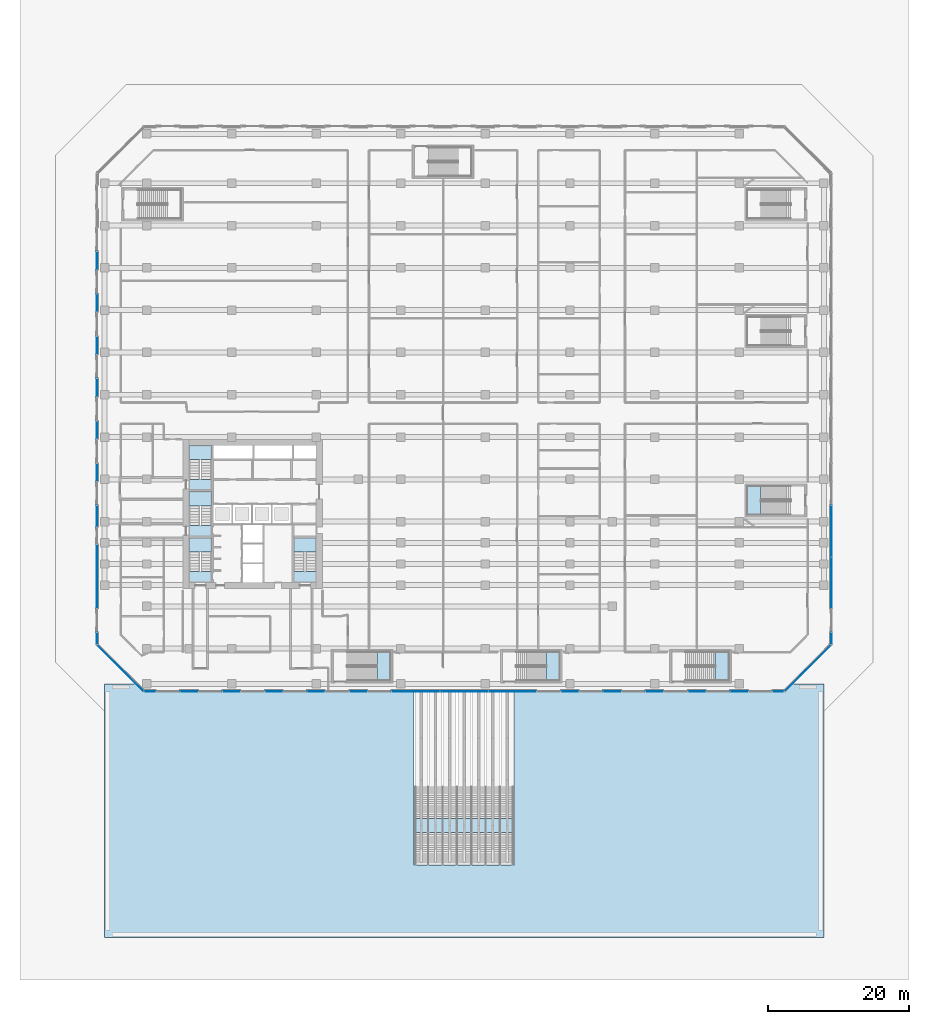
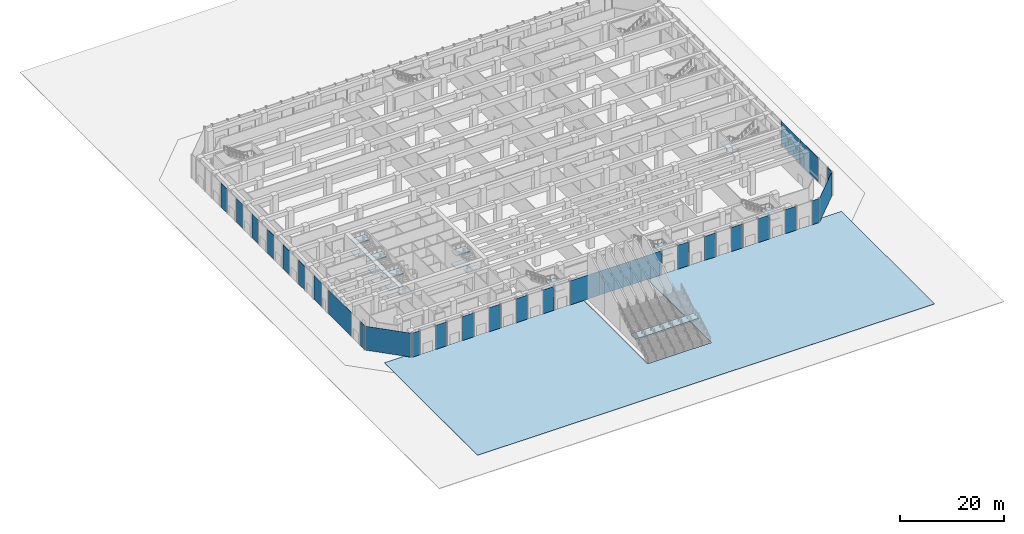
# One storey, part 13 of 32: 29 plates, 18 slabs, 35 elements without a shape of their own.
"""IFC4 building model written with IfcOpenShell, lengths in metres."""

import ifcopenshell
import ifcopenshell.guid

model = None  # the IFC model being written
_history = None  # IfcOwnerHistory: only IFC2X3 demands one
_inside = {}  # id of a spatial element -> (the spatial element, [elements in it])
_under = {}  # id of a project, library or spatial element -> (it, [spatial elements below it])
_declared = {}  # id of a project -> (the project, [libraries it declares])
_typed = {}  # id of a type object -> (the type object, [elements of that type])
_made_of = {}  # id of a material, layer set ... -> (it, [elements and type objects made of it])


def new_model(schema):
    """Start an empty IFC model of exactly this schema.

    Asked for "IFC4X3", IfcOpenShell would pick the latest addendum, in which some entities
    have other attributes; the version numbers below select the first issue.
    IFC2X3 requires an IfcOwnerHistory on every rooted entity: one is made here for all.
    """
    global model, _history
    if schema == "IFC4X3":
        model = ifcopenshell.file(schema_version=(4, 3, 0, 0))
    else:
        model = ifcopenshell.file(schema=schema)
    _inside.clear()
    _under.clear()
    _declared.clear()
    _typed.clear()
    _made_of.clear()
    _history = None
    if model.schema == "IFC2X3":
        org = make("IfcOrganization", Name="unknown")
        user = make(
            "IfcPersonAndOrganization",
            ThePerson=make("IfcPerson", FamilyName="unknown"),
            TheOrganization=org,
        )
        app = make(
            "IfcApplication",
            ApplicationDeveloper=org,
            Version="unknown",
            ApplicationFullName="unknown",
            ApplicationIdentifier="unknown",
        )
        _history = make(
            "IfcOwnerHistory",
            OwningUser=user,
            OwningApplication=app,
            ChangeAction="ADDED",
            CreationDate=0,
        )
    return model


def make(cls, **values):
    """One entity of the class cls with the attributes given. An attribute that is None is left unset."""
    return model.create_entity(
        cls, **{name: value for name, value in values.items() if value is not None}
    )


def rooted(cls, **values):
    """An entity with a GlobalId (a new one), such as an element, a storey or a relation."""
    return make(cls, GlobalId=ifcopenshell.guid.new(), OwnerHistory=_history, **values)


def si_unit(unit_type, name, prefix=None):
    """IfcSIUnit, for example si_unit("LENGTHUNIT", "METRE", prefix="MILLI")."""
    return make("IfcSIUnit", UnitType=unit_type, Prefix=prefix, Name=name)


def assignment(units):
    """IfcUnitAssignment: the units of a project."""
    return None if units is None else make("IfcUnitAssignment", Units=units)


def point(xyz):
    """IfcCartesianPoint."""
    return None if xyz is None else make("IfcCartesianPoint", Coordinates=xyz)


def direction(xyz):
    """IfcDirection."""
    return None if xyz is None else make("IfcDirection", DirectionRatios=xyz)


def frame(location, z_axis=None, x_axis=None):
    """IfcAxis2Placement3D, a coordinate frame: its origin and axes. An axis left out is left unset."""
    return make(
        "IfcAxis2Placement3D",
        Location=point(location),
        Axis=direction(z_axis),
        RefDirection=direction(x_axis),
    )


def frame_2d(location, x_axis=None):
    """IfcAxis2Placement2D, a coordinate frame in the plane: its origin and x axis."""
    return make(
        "IfcAxis2Placement2D", Location=point(location), RefDirection=direction(x_axis)
    )


def origin():
    """The frame at (0, 0, 0) with its axes left unset."""
    return frame((0.0, 0.0, 0.0))


def origin_2d():
    """The frame at (0, 0) in the plane with its x axis left unset."""
    return frame_2d((0.0, 0.0))


def place(relative_to, where):
    """IfcLocalPlacement: puts the frame where relative to a parent placement (None: the world)."""
    return make(
        "IfcLocalPlacement", PlacementRelTo=relative_to, RelativePlacement=where
    )


def context(
    kind, dimensions, precision=None, world=None, true_north=None, identifier=None
):
    """IfcGeometricRepresentationContext, for example the 3D "Model" context."""
    return make(
        "IfcGeometricRepresentationContext",
        ContextIdentifier=identifier,
        ContextType=kind,
        CoordinateSpaceDimension=dimensions,
        Precision=precision,
        WorldCoordinateSystem=world,
        TrueNorth=true_north,
    )


def subcontext(parent, identifier, kind, view, scale=None):
    """IfcGeometricRepresentationSubContext, for example "Body" below "Model"."""
    return make(
        "IfcGeometricRepresentationSubContext",
        ContextIdentifier=identifier,
        ContextType=kind,
        ParentContext=parent,
        TargetScale=scale,
        TargetView=view,
    )


def project(units=None, contexts=None):
    """IfcProject with its units and contexts."""
    return rooted(
        "IfcProject",
        Name="project",
        RepresentationContexts=contexts,
        UnitsInContext=assignment(units),
    )


def spatial(cls, under=None, at=None, **own):
    """A site, building, storey or space (cls), placed at a placement, below another one or the project."""
    s = rooted(cls, ObjectPlacement=at, **own)
    if under is not None:
        _under.setdefault(under.id(), (under, []))[1].append(s)
    return s


def polyline(points):
    """IfcPolyline through the points."""
    return make("IfcPolyline", Points=[point(p) for p in points])


def profile(cls, at=None, kind="AREA", **sizes):
    """A parametric profile (cls). Its sizes go by their IFC names, for example OverallWidth=200.0."""
    return make(cls, ProfileType=kind, Position=at, **sizes)


def rectangle(**sizes):
    """IfcRectangleProfileDef."""
    return profile("IfcRectangleProfileDef", **sizes)


def outline(outer, holes=None, kind="AREA"):
    """IfcArbitraryClosedProfileDef: a profile drawn as a closed curve; with holes, ...WithVoids."""
    if holes is None:
        return make("IfcArbitraryClosedProfileDef", ProfileType=kind, OuterCurve=outer)
    return make(
        "IfcArbitraryProfileDefWithVoids",
        ProfileType=kind,
        OuterCurve=outer,
        InnerCurves=holes,
    )


def extrude(swept, where, along, depth):
    """IfcExtrudedAreaSolid: the profile swept, set in the frame where, extruded along a direction by depth."""
    return make(
        "IfcExtrudedAreaSolid",
        SweptArea=swept,
        Position=where,
        ExtrudedDirection=direction(along),
        Depth=depth,
    )


def shape(context_of_items, identifier, shape_type, items):
    """IfcShapeRepresentation: the items that make up one representation, for example the "Body"."""
    return make(
        "IfcShapeRepresentation",
        ContextOfItems=context_of_items,
        RepresentationIdentifier=identifier,
        RepresentationType=shape_type,
        Items=items,
    )


def material(Name=None, Category=None):
    """IfcMaterial."""
    return make("IfcMaterial", Name=Name, Category=Category)


def layer(
    of_material, thickness, ventilated=None, Name=None, Category=None, Priority=None
):
    """IfcMaterialLayer: one layer of a wall or slab, of a material (None: an air gap)."""
    return make(
        "IfcMaterialLayer",
        Material=of_material,
        LayerThickness=thickness,
        IsVentilated=ventilated,
        Name=Name,
        Category=Category,
        Priority=Priority,
    )


def layer_set(layers, Name=None):
    """IfcMaterialLayerSet."""
    return make("IfcMaterialLayerSet", MaterialLayers=layers, LayerSetName=Name)


def made_of(thing, what):
    """Note that an element or type object is made of a material, layer set ...; save() writes the relation."""
    if what is not None:
        _made_of.setdefault(what.id(), (what, []))[1].append(thing)
    return thing


def type_object(cls, material=None, **own):
    """A type object (cls), such as IfcWallType, which elements share."""
    return made_of(rooted(cls, **own), material)


def element(
    cls,
    number,
    at=None,
    inside=None,
    cuts=None,
    type_object=None,
    material=None,
    context=None,
    identifier="Body",
    shape_type=None,
    held_by="IfcProductDefinitionShape",
    body=None,
    shapes=None,
    **own,
):
    """One element of the class cls, such as IfcWall. Its Tag is "e" and its number.

    at: its placement. inside: the storey or other place that contains it. cuts: it is an
    opening in that element (IfcRelVoidsElement). A single representation is given by context,
    identifier, shape_type and body (its items); several are given by shapes. held_by: the class
    of the entity that holds the representations. save() writes the other relations.
    """
    e = rooted(cls, Tag="e%d" % number, ObjectPlacement=at, **own)
    if body is not None:
        shapes = [shape(context, identifier, shape_type, body)]
    if shapes is not None:
        e.Representation = make(held_by, Representations=shapes)
    if inside is not None:
        _inside.setdefault(inside.id(), (inside, []))[1].append(e)
    if cuts is not None:
        rooted(
            "IfcRelVoidsElement", RelatingBuildingElement=cuts, RelatedOpeningElement=e
        )
    if type_object is not None:
        _typed.setdefault(type_object.id(), (type_object, []))[1].append(e)
    return made_of(e, material)


def aggregate(whole, parts):
    """IfcRelAggregates: a whole, such as a stair, and the parts it consists of."""
    return rooted("IfcRelAggregates", RelatingObject=whole, RelatedObjects=parts)


def save(model, path):
    """Write the relations noted so far, then the file.

    IfcRelAggregates (storeys below a building ...), IfcRelContainedInSpatialStructure (elements
    in a storey), IfcRelDefinesByType, IfcRelAssociatesMaterial and IfcRelDeclares: one each for
    every whole, place, type object, material and project.
    """
    for whole, parts in _under.values():
        aggregate(whole, parts)
    for where, things in _inside.values():
        rooted(
            "IfcRelContainedInSpatialStructure",
            RelatedElements=things,
            RelatingStructure=where,
        )
    for kind, things in _typed.values():
        rooted("IfcRelDefinesByType", RelatedObjects=things, RelatingType=kind)
    for what, things in _made_of.values():
        rooted("IfcRelAssociatesMaterial", RelatedObjects=things, RelatingMaterial=what)
    for by, libraries in _declared.values():
        rooted("IfcRelDeclares", RelatingContext=by, RelatedDefinitions=libraries)
    model.write(path)


model = new_model("IFC4")

# Units and contexts
model_context = context("Model", 3, precision=1e-05, world=origin(), true_north=direction((0.0, 1.0)))
body_context = subcontext(model_context, "Body", "Model", "MODEL_VIEW")
ifc_project = project(units=[si_unit("LENGTHUNIT", "METRE"), si_unit("AREAUNIT", "SQUARE_METRE"), si_unit("VOLUMEUNIT", "CUBIC_METRE"), si_unit("PLANEANGLEUNIT", "RADIAN"), si_unit("MASSUNIT", "GRAM", prefix="KILO")], contexts=[model_context])

# Site, building, storey
site_placement = place(None, origin())
site = spatial("IfcSite", under=ifc_project, at=site_placement, CompositionType="ELEMENT")
building_placement = place(site_placement, origin())
building = spatial("IfcBuilding", under=site, at=building_placement, Name="Welwitschia Terrace Campus", CompositionType="ELEMENT")
storey_placement = place(building_placement, origin())
storey = spatial("IfcBuildingStorey", under=building, at=storey_placement, Name="L00", CompositionType="ELEMENT", Elevation=0.0)

# Curtain wall, plate
ifc_material_1 = material(Name="Bronze anodised aluminium", Category="aluminium")
ifc_layer_1 = layer(ifc_material_1, 0.199951171875)
ifc_layer_set_1 = layer_set([ifc_layer_1], Name="Bronze anodised aluminium")
curtain_wall_type = type_object("IfcCurtainWallType", Name="Curtain wall CW4 arcade shopfront 7500", PredefinedType="NOTDEFINED", material=ifc_layer_set_1)
curtain_wall_1_placement = place(storey_placement, origin())
curtain_wall_1 = element("IfcCurtainWall", 1, at=curtain_wall_1_placement, inside=storey, type_object=curtain_wall_type, Name="CW L00.0.g0", PredefinedType="NOTDEFINED")
ifc_material_2 = material(Name="Tinted bronze-grey glass", Category="glass")
ifc_layer_2 = layer(ifc_material_2, 0.0439453125)
ifc_layer_set_2 = layer_set([ifc_layer_2], Name="Tinted bronze-grey glass")
plate_type = type_object("IfcPlateType", Name="Glass panel 44 laminated", PredefinedType="CURTAIN_PANEL", material=ifc_layer_set_2)
plate_1_placement = place(storey_placement, frame((0.4501953125, -10.0849609375, 0.0), z_axis=(0.0, 0.0, 1.0), x_axis=(1.0, 0.0, 0.0)))
plate_1 = element("IfcPlate", 2, at=plate_1_placement, type_object=plate_type, Name="Panel L00.0.g0.0", PredefinedType="CURTAIN_PANEL", context=body_context, shape_type="SweptSolid", body=[
    extrude(rectangle(XDim=1.599365234375, YDim=0.0439453125, at=origin_2d()), origin(), (0.0, 0.0, 1.0), 5.64990234375),
])
aggregate(curtain_wall_1, [plate_1])

curtain_wall_2_placement = place(storey_placement, origin())
curtain_wall_2 = element("IfcCurtainWall", 3, at=curtain_wall_2_placement, inside=storey, type_object=curtain_wall_type, Name="CW L00.0.g1", PredefinedType="NOTDEFINED")
plate_2_placement = place(storey_placement, frame((6.0, -10.0849609375, 0.0), z_axis=(0.0, 0.0, 1.0), x_axis=(1.0, 0.0, 0.0)))
plate_2 = element("IfcPlate", 4, at=plate_2_placement, type_object=plate_type, Name="Panel L00.0.g1.0", PredefinedType="CURTAIN_PANEL", context=body_context, shape_type="SweptSolid", body=[
    extrude(rectangle(XDim=2.5, YDim=0.0439453125, at=origin_2d()), origin(), (0.0, 0.0, 1.0), 5.64990234375),
])
aggregate(curtain_wall_2, [plate_2])

curtain_wall_3_placement = place(storey_placement, origin())
curtain_wall_3 = element("IfcCurtainWall", 5, at=curtain_wall_3_placement, inside=storey, type_object=curtain_wall_type, Name="CW L00.0.g2", PredefinedType="NOTDEFINED")
plate_3_placement = place(storey_placement, frame((12.0, -10.0849609375, 0.0), z_axis=(0.0, 0.0, 1.0), x_axis=(1.0, 0.0, 0.0)))
plate_3 = element("IfcPlate", 6, at=plate_3_placement, type_object=plate_type, Name="Panel L00.0.g2.0", PredefinedType="CURTAIN_PANEL", context=body_context, shape_type="SweptSolid", body=[
    extrude(rectangle(XDim=2.5, YDim=0.0439453125, at=origin_2d()), origin(), (0.0, 0.0, 1.0), 5.64990234375),
])
aggregate(curtain_wall_3, [plate_3])

curtain_wall_4_placement = place(storey_placement, origin())
curtain_wall_4 = element("IfcCurtainWall", 7, at=curtain_wall_4_placement, inside=storey, type_object=curtain_wall_type, Name="CW L00.0.g3", PredefinedType="NOTDEFINED")
plate_4_placement = place(storey_placement, frame((18.0, -10.0849609375, 0.0), z_axis=(0.0, 0.0, 1.0), x_axis=(1.0, 0.0, 0.0)))
plate_4 = element("IfcPlate", 8, at=plate_4_placement, type_object=plate_type, Name="Panel L00.0.g3.0", PredefinedType="CURTAIN_PANEL", context=body_context, shape_type="SweptSolid", body=[
    extrude(rectangle(XDim=2.5, YDim=0.0439453125, at=origin_2d()), origin(), (0.0, 0.0, 1.0), 5.64990234375),
])
aggregate(curtain_wall_4, [plate_4])

curtain_wall_5_placement = place(storey_placement, origin())
curtain_wall_5 = element("IfcCurtainWall", 9, at=curtain_wall_5_placement, inside=storey, type_object=curtain_wall_type, Name="CW L00.0.g4", PredefinedType="NOTDEFINED")
plate_5_placement = place(storey_placement, frame((24.0, -10.0849609375, 0.0), z_axis=(0.0, 0.0, 1.0), x_axis=(1.0, 0.0, 0.0)))
plate_5 = element("IfcPlate", 10, at=plate_5_placement, type_object=plate_type, Name="Panel L00.0.g4.0", PredefinedType="CURTAIN_PANEL", context=body_context, shape_type="SweptSolid", body=[
    extrude(rectangle(XDim=2.5, YDim=0.0439453125, at=origin_2d()), origin(), (0.0, 0.0, 1.0), 5.64990234375),
])
aggregate(curtain_wall_5, [plate_5])

curtain_wall_6_placement = place(storey_placement, origin())
curtain_wall_6 = element("IfcCurtainWall", 11, at=curtain_wall_6_placement, inside=storey, type_object=curtain_wall_type, Name="CW L00.0.g5", PredefinedType="NOTDEFINED")
plate_6_placement = place(storey_placement, frame((30.0, -10.0849609375, 0.0), z_axis=(0.0, 0.0, 1.0), x_axis=(1.0, 0.0, 0.0)))
plate_6 = element("IfcPlate", 12, at=plate_6_placement, type_object=plate_type, Name="Panel L00.0.g5.0", PredefinedType="CURTAIN_PANEL", context=body_context, shape_type="SweptSolid", body=[
    extrude(rectangle(XDim=2.5, YDim=0.0439453125, at=origin_2d()), origin(), (0.0, 0.0, 1.0), 5.64990234375),
])
aggregate(curtain_wall_6, [plate_6])

# Curtain wall, plates
curtain_wall_7_placement = place(storey_placement, origin())
curtain_wall_7 = element("IfcCurtainWall", 13, at=curtain_wall_7_placement, inside=storey, type_object=curtain_wall_type, Name="CW L00.0.g6", PredefinedType="NOTDEFINED")
plate_7_placement = place(storey_placement, frame((38.125, -10.0849609375, 0.0), z_axis=(0.0, 0.0, 1.0), x_axis=(1.0, 0.0, 0.0)))
plate_7 = element("IfcPlate", 14, at=plate_7_placement, type_object=plate_type, Name="Panel L00.0.g6.0", PredefinedType="CURTAIN_PANEL", context=body_context, shape_type="SweptSolid", body=[
    extrude(rectangle(XDim=6.75, YDim=0.0439453125, at=origin_2d()), origin(), (0.0, 0.0, 1.0), 5.64990234375),
])
plate_8_placement = place(storey_placement, frame((45.0, -10.0849609375, 0.0), z_axis=(0.0, 0.0, 1.0), x_axis=(1.0, 0.0, 0.0)))
plate_8 = element("IfcPlate", 15, at=plate_8_placement, type_object=plate_type, Name="Panel L00.0.g6.1", PredefinedType="CURTAIN_PANEL", context=body_context, shape_type="SweptSolid", body=[
    extrude(rectangle(XDim=6.800048828125, YDim=0.0439453125, at=origin_2d()), origin(), (0.0, 0.0, 1.0), 5.64990234375),
])
plate_9_placement = place(storey_placement, frame((51.875, -10.0849609375, 0.0), z_axis=(0.0, 0.0, 1.0), x_axis=(1.0, 0.0, 0.0)))
plate_9 = element("IfcPlate", 16, at=plate_9_placement, type_object=plate_type, Name="Panel L00.0.g6.2", PredefinedType="CURTAIN_PANEL", context=body_context, shape_type="SweptSolid", body=[
    extrude(rectangle(XDim=6.75, YDim=0.0439453125, at=origin_2d()), origin(), (0.0, 0.0, 1.0), 5.64990234375),
])
aggregate(curtain_wall_7, [plate_7, plate_8, plate_9])

# Curtain wall, plate
curtain_wall_8_placement = place(storey_placement, origin())
curtain_wall_8 = element("IfcCurtainWall", 17, at=curtain_wall_8_placement, inside=storey, type_object=curtain_wall_type, Name="CW L00.0.g7", PredefinedType="NOTDEFINED")
plate_10_placement = place(storey_placement, frame((60.0, -10.0849609375, 0.0), z_axis=(0.0, 0.0, 1.0), x_axis=(1.0, 0.0, 0.0)))
plate_10 = element("IfcPlate", 18, at=plate_10_placement, type_object=plate_type, Name="Panel L00.0.g7.0", PredefinedType="CURTAIN_PANEL", context=body_context, shape_type="SweptSolid", body=[
    extrude(rectangle(XDim=2.5, YDim=0.0439453125, at=origin_2d()), origin(), (0.0, 0.0, 1.0), 5.64990234375),
])
aggregate(curtain_wall_8, [plate_10])

curtain_wall_9_placement = place(storey_placement, origin())
curtain_wall_9 = element("IfcCurtainWall", 19, at=curtain_wall_9_placement, inside=storey, type_object=curtain_wall_type, Name="CW L00.0.g8", PredefinedType="NOTDEFINED")
plate_11_placement = place(storey_placement, frame((66.0, -10.0849609375, 0.0), z_axis=(0.0, 0.0, 1.0), x_axis=(1.0, 0.0, 0.0)))
plate_11 = element("IfcPlate", 20, at=plate_11_placement, type_object=plate_type, Name="Panel L00.0.g8.0", PredefinedType="CURTAIN_PANEL", context=body_context, shape_type="SweptSolid", body=[
    extrude(rectangle(XDim=2.5, YDim=0.0439453125, at=origin_2d()), origin(), (0.0, 0.0, 1.0), 5.64990234375),
])
aggregate(curtain_wall_9, [plate_11])

curtain_wall_10_placement = place(storey_placement, origin())
curtain_wall_10 = element("IfcCurtainWall", 21, at=curtain_wall_10_placement, inside=storey, type_object=curtain_wall_type, Name="CW L00.0.g9", PredefinedType="NOTDEFINED")
plate_12_placement = place(storey_placement, frame((72.0, -10.0849609375, 0.0), z_axis=(0.0, 0.0, 1.0), x_axis=(1.0, 0.0, 0.0)))
plate_12 = element("IfcPlate", 22, at=plate_12_placement, type_object=plate_type, Name="Panel L00.0.g9.0", PredefinedType="CURTAIN_PANEL", context=body_context, shape_type="SweptSolid", body=[
    extrude(rectangle(XDim=2.5, YDim=0.0439453125, at=origin_2d()), origin(), (0.0, 0.0, 1.0), 5.64990234375),
])
aggregate(curtain_wall_10, [plate_12])

curtain_wall_11_placement = place(storey_placement, origin())
curtain_wall_11 = element("IfcCurtainWall", 23, at=curtain_wall_11_placement, inside=storey, type_object=curtain_wall_type, Name="CW L00.0.g10", PredefinedType="NOTDEFINED")
plate_13_placement = place(storey_placement, frame((78.0, -10.0849609375, 0.0), z_axis=(0.0, 0.0, 1.0), x_axis=(1.0, 0.0, 0.0)))
plate_13 = element("IfcPlate", 24, at=plate_13_placement, type_object=plate_type, Name="Panel L00.0.g10.0", PredefinedType="CURTAIN_PANEL", context=body_context, shape_type="SweptSolid", body=[
    extrude(rectangle(XDim=2.5, YDim=0.0439453125, at=origin_2d()), origin(), (0.0, 0.0, 1.0), 5.64990234375),
])
aggregate(curtain_wall_11, [plate_13])

curtain_wall_12_placement = place(storey_placement, origin())
curtain_wall_12 = element("IfcCurtainWall", 25, at=curtain_wall_12_placement, inside=storey, type_object=curtain_wall_type, Name="CW L00.0.g11", PredefinedType="NOTDEFINED")
plate_14_placement = place(storey_placement, frame((84.0, -10.0849609375, 0.0), z_axis=(0.0, 0.0, 1.0), x_axis=(1.0, 0.0, 0.0)))
plate_14 = element("IfcPlate", 26, at=plate_14_placement, type_object=plate_type, Name="Panel L00.0.g11.0", PredefinedType="CURTAIN_PANEL", context=body_context, shape_type="SweptSolid", body=[
    extrude(rectangle(XDim=2.5, YDim=0.0439453125, at=origin_2d()), origin(), (0.0, 0.0, 1.0), 5.64990234375),
])
aggregate(curtain_wall_12, [plate_14])

curtain_wall_13_placement = place(storey_placement, origin())
curtain_wall_13 = element("IfcCurtainWall", 27, at=curtain_wall_13_placement, inside=storey, type_object=curtain_wall_type, Name="CW L00.0.g12", PredefinedType="NOTDEFINED")
plate_15_placement = place(storey_placement, frame((89.5498046875, -10.0849609375, 0.0), z_axis=(0.0, 0.0, 1.0), x_axis=(1.0, 0.0, 0.0)))
plate_15 = element("IfcPlate", 28, at=plate_15_placement, type_object=plate_type, Name="Panel L00.0.g12.0", PredefinedType="CURTAIN_PANEL", context=body_context, shape_type="SweptSolid", body=[
    extrude(rectangle(XDim=1.599365234375, YDim=0.0439453125, at=origin_2d()), origin(), (0.0, 0.0, 1.0), 5.64990234375),
])
aggregate(curtain_wall_13, [plate_15])

curtain_wall_14_placement = place(storey_placement, origin())
curtain_wall_14 = element("IfcCurtainWall", 29, at=curtain_wall_14_placement, inside=storey, type_object=curtain_wall_type, Name="CW L00.1.g0", PredefinedType="NOTDEFINED")
plate_16_placement = place(storey_placement, frame((93.76708984375, -6.76708984375, 0.0), z_axis=(0.0, 0.0, 1.0), x_axis=(0.707106781187, 0.707106781187, 0.0)))
plate_16 = element("IfcPlate", 30, at=plate_16_placement, type_object=plate_type, Name="Panel L00.1.g0.0", PredefinedType="CURTAIN_PANEL", context=body_context, shape_type="SweptSolid", body=[
    extrude(rectangle(XDim=9.18408203125, YDim=0.0439453125, at=origin_2d()), origin(), (0.0, 0.0, 1.0), 5.64990234375),
])
aggregate(curtain_wall_14, [plate_16])

curtain_wall_15_placement = place(storey_placement, origin())
curtain_wall_15 = element("IfcCurtainWall", 31, at=curtain_wall_15_placement, inside=storey, type_object=curtain_wall_type, Name="CW L00.2.g0", PredefinedType="NOTDEFINED")
plate_17_placement = place(storey_placement, frame((97.0849609375, -2.5498046875, 0.0), z_axis=(0.0, 0.0, 1.0), x_axis=(0.0, 1.0, 0.0)))
plate_17 = element("IfcPlate", 32, at=plate_17_placement, type_object=plate_type, Name="Panel L00.2.g0.0", PredefinedType="CURTAIN_PANEL", context=body_context, shape_type="SweptSolid", body=[
    extrude(rectangle(XDim=1.599365234375, YDim=0.0439453125, at=origin_2d()), origin(), (0.0, 0.0, 1.0), 5.64990234375),
])
aggregate(curtain_wall_15, [plate_17])

# Curtain wall, plates
curtain_wall_16_placement = place(storey_placement, origin())
curtain_wall_16 = element("IfcCurtainWall", 33, at=curtain_wall_16_placement, inside=storey, type_object=curtain_wall_type, Name="CW L00.2.g1", PredefinedType="NOTDEFINED")
plate_18_placement = place(storey_placement, frame((97.0849609375, 5.35009765625, 0.0), z_axis=(0.0, 0.0, 1.0), x_axis=(0.0, 1.0, 0.0)))
plate_18 = element("IfcPlate", 34, at=plate_18_placement, type_object=plate_type, Name="Panel L00.2.g1.0", PredefinedType="CURTAIN_PANEL", context=body_context, shape_type="SweptSolid", body=[
    extrude(rectangle(XDim=7.199951171875, YDim=0.0439453125, at=origin_2d()), origin(), (0.0, 0.0, 1.0), 5.64990234375),
])
plate_19_placement = place(storey_placement, frame((97.0849609375, 12.64990234375, 0.0), z_axis=(0.0, 0.0, 1.0), x_axis=(0.0, 1.0, 0.0)))
plate_19 = element("IfcPlate", 35, at=plate_19_placement, type_object=plate_type, Name="Panel L00.2.g1.1", PredefinedType="CURTAIN_PANEL", context=body_context, shape_type="SweptSolid", body=[
    extrude(rectangle(XDim=7.199951171875, YDim=0.0439453125, at=origin_2d()), origin(), (0.0, 0.0, 1.0), 5.64990234375),
])
aggregate(curtain_wall_16, [plate_18, plate_19])

# Curtain wall, plate
curtain_wall_17_placement = place(storey_placement, origin())
curtain_wall_17 = element("IfcCurtainWall", 36, at=curtain_wall_17_placement, inside=storey, type_object=curtain_wall_type, Name="CW L00.6.g2", PredefinedType="NOTDEFINED")
plate_20_placement = place(storey_placement, frame((-7.0849609375, 51.0, 0.0), z_axis=(0.0, 0.0, 1.0), x_axis=(0.0, -1.0, 0.0)))
plate_20 = element("IfcPlate", 37, at=plate_20_placement, type_object=plate_type, Name="Panel L00.6.g2.0", PredefinedType="CURTAIN_PANEL", context=body_context, shape_type="SweptSolid", body=[
    extrude(rectangle(XDim=2.5, YDim=0.0439453125, at=origin_2d()), origin(), (0.0, 0.0, 1.0), 5.64990234375),
])
aggregate(curtain_wall_17, [plate_20])

curtain_wall_18_placement = place(storey_placement, origin())
curtain_wall_18 = element("IfcCurtainWall", 38, at=curtain_wall_18_placement, inside=storey, type_object=curtain_wall_type, Name="CW L00.6.g3", PredefinedType="NOTDEFINED")
plate_21_placement = place(storey_placement, frame((-7.0849609375, 45.0, 0.0), z_axis=(0.0, 0.0, 1.0), x_axis=(0.0, -1.0, 0.0)))
plate_21 = element("IfcPlate", 39, at=plate_21_placement, type_object=plate_type, Name="Panel L00.6.g3.0", PredefinedType="CURTAIN_PANEL", context=body_context, shape_type="SweptSolid", body=[
    extrude(rectangle(XDim=2.5, YDim=0.0439453125, at=origin_2d()), origin(), (0.0, 0.0, 1.0), 5.64990234375),
])
aggregate(curtain_wall_18, [plate_21])

curtain_wall_19_placement = place(storey_placement, origin())
curtain_wall_19 = element("IfcCurtainWall", 40, at=curtain_wall_19_placement, inside=storey, type_object=curtain_wall_type, Name="CW L00.6.g4", PredefinedType="NOTDEFINED")
plate_22_placement = place(storey_placement, frame((-7.0849609375, 39.0, 0.0), z_axis=(0.0, 0.0, 1.0), x_axis=(0.0, -1.0, 0.0)))
plate_22 = element("IfcPlate", 41, at=plate_22_placement, type_object=plate_type, Name="Panel L00.6.g4.0", PredefinedType="CURTAIN_PANEL", context=body_context, shape_type="SweptSolid", body=[
    extrude(rectangle(XDim=2.5, YDim=0.0439453125, at=origin_2d()), origin(), (0.0, 0.0, 1.0), 5.64990234375),
])
aggregate(curtain_wall_19, [plate_22])

curtain_wall_20_placement = place(storey_placement, origin())
curtain_wall_20 = element("IfcCurtainWall", 42, at=curtain_wall_20_placement, inside=storey, type_object=curtain_wall_type, Name="CW L00.6.g5", PredefinedType="NOTDEFINED")
plate_23_placement = place(storey_placement, frame((-7.0849609375, 33.0, 0.0), z_axis=(0.0, 0.0, 1.0), x_axis=(0.0, -1.0, 0.0)))
plate_23 = element("IfcPlate", 43, at=plate_23_placement, type_object=plate_type, Name="Panel L00.6.g5.0", PredefinedType="CURTAIN_PANEL", context=body_context, shape_type="SweptSolid", body=[
    extrude(rectangle(XDim=2.5, YDim=0.0439453125, at=origin_2d()), origin(), (0.0, 0.0, 1.0), 5.64990234375),
])
aggregate(curtain_wall_20, [plate_23])

curtain_wall_21_placement = place(storey_placement, origin())
curtain_wall_21 = element("IfcCurtainWall", 44, at=curtain_wall_21_placement, inside=storey, type_object=curtain_wall_type, Name="CW L00.6.g6", PredefinedType="NOTDEFINED")
plate_24_placement = place(storey_placement, frame((-7.0849609375, 27.0, 0.0), z_axis=(0.0, 0.0, 1.0), x_axis=(0.0, -1.0, 0.0)))
plate_24 = element("IfcPlate", 45, at=plate_24_placement, type_object=plate_type, Name="Panel L00.6.g6.0", PredefinedType="CURTAIN_PANEL", context=body_context, shape_type="SweptSolid", body=[
    extrude(rectangle(XDim=2.5, YDim=0.0439453125, at=origin_2d()), origin(), (0.0, 0.0, 1.0), 5.64990234375),
])
aggregate(curtain_wall_21, [plate_24])

curtain_wall_22_placement = place(storey_placement, origin())
curtain_wall_22 = element("IfcCurtainWall", 46, at=curtain_wall_22_placement, inside=storey, type_object=curtain_wall_type, Name="CW L00.6.g7", PredefinedType="NOTDEFINED")
plate_25_placement = place(storey_placement, frame((-7.0849609375, 21.0, 0.0), z_axis=(0.0, 0.0, 1.0), x_axis=(0.0, -1.0, 0.0)))
plate_25 = element("IfcPlate", 47, at=plate_25_placement, type_object=plate_type, Name="Panel L00.6.g7.0", PredefinedType="CURTAIN_PANEL", context=body_context, shape_type="SweptSolid", body=[
    extrude(rectangle(XDim=2.5, YDim=0.0439453125, at=origin_2d()), origin(), (0.0, 0.0, 1.0), 5.64990234375),
])
aggregate(curtain_wall_22, [plate_25])

curtain_wall_23_placement = place(storey_placement, origin())
curtain_wall_23 = element("IfcCurtainWall", 48, at=curtain_wall_23_placement, inside=storey, type_object=curtain_wall_type, Name="CW L00.6.g8", PredefinedType="NOTDEFINED")
plate_26_placement = place(storey_placement, frame((-7.0849609375, 14.77490234375, 0.0), z_axis=(0.0, 0.0, 1.0), x_axis=(0.0, -1.0, 0.0)))
plate_26 = element("IfcPlate", 49, at=plate_26_placement, type_object=plate_type, Name="Panel L00.6.g8.0", PredefinedType="CURTAIN_PANEL", context=body_context, shape_type="SweptSolid", body=[
    extrude(rectangle(XDim=2.949951171875, YDim=0.0439453125, at=origin_2d()), origin(), (0.0, 0.0, 1.0), 5.64990234375),
])
aggregate(curtain_wall_23, [plate_26])

curtain_wall_24_placement = place(storey_placement, origin())
curtain_wall_24 = element("IfcCurtainWall", 50, at=curtain_wall_24_placement, inside=storey, type_object=curtain_wall_type, Name="CW L00.6.g9", PredefinedType="NOTDEFINED")
plate_27_placement = place(storey_placement, frame((-7.0849609375, 6.22509765625, 0.0), z_axis=(0.0, 0.0, 1.0), x_axis=(0.0, -1.0, 0.0)))
plate_27 = element("IfcPlate", 51, at=plate_27_placement, type_object=plate_type, Name="Panel L00.6.g9.0", PredefinedType="CURTAIN_PANEL", context=body_context, shape_type="SweptSolid", body=[
    extrude(rectangle(XDim=8.949951171875, YDim=0.0439453125, at=origin_2d()), origin(), (0.0, 0.0, 1.0), 5.64990234375),
])
aggregate(curtain_wall_24, [plate_27])

curtain_wall_25_placement = place(storey_placement, origin())
curtain_wall_25 = element("IfcCurtainWall", 52, at=curtain_wall_25_placement, inside=storey, type_object=curtain_wall_type, Name="CW L00.6.g10", PredefinedType="NOTDEFINED")
plate_28_placement = place(storey_placement, frame((-7.0849609375, -2.5498046875, 0.0), z_axis=(0.0, 0.0, 1.0), x_axis=(0.0, -1.0, 0.0)))
plate_28 = element("IfcPlate", 53, at=plate_28_placement, type_object=plate_type, Name="Panel L00.6.g10.0", PredefinedType="CURTAIN_PANEL", context=body_context, shape_type="SweptSolid", body=[
    extrude(rectangle(XDim=1.599365234375, YDim=0.0439453125, at=origin_2d()), origin(), (0.0, 0.0, 1.0), 5.64990234375),
])
aggregate(curtain_wall_25, [plate_28])

curtain_wall_26_placement = place(storey_placement, origin())
curtain_wall_26 = element("IfcCurtainWall", 54, at=curtain_wall_26_placement, inside=storey, type_object=curtain_wall_type, Name="CW L00.7.g0", PredefinedType="NOTDEFINED")
plate_29_placement = place(storey_placement, frame((-3.76708984375, -6.76708984375, 0.0), z_axis=(0.0, 0.0, 1.0), x_axis=(0.707106781187, -0.707106781187, 0.0)))
plate_29 = element("IfcPlate", 55, at=plate_29_placement, type_object=plate_type, Name="Panel L00.7.g0.0", PredefinedType="CURTAIN_PANEL", context=body_context, shape_type="SweptSolid", body=[
    extrude(rectangle(XDim=9.18408203125, YDim=0.0439453125, at=origin_2d()), origin(), (0.0, 0.0, 1.0), 5.64990234375),
])
aggregate(curtain_wall_26, [plate_29])

# Slab
ifc_material_3 = material(Name="Concrete C30/37 paving", Category="concrete")
ifc_layer_3 = layer(ifc_material_3, 0.14990234375)
ifc_layer_set_3 = layer_set([ifc_layer_3], Name="Concrete C30/37 paving")
slab_type_1 = type_object("IfcSlabType", Name="Paving slab 150", PredefinedType="USERDEFINED", material=ifc_layer_set_3)
slab_1_placement = place(storey_placement, frame((0.0, 0.0, -0.14990234375)))
element("IfcSlab", 56, at=slab_1_placement, inside=storey, type_object=slab_type_1, Name="Street plaza paving", ObjectType="PAVING", PredefinedType="USERDEFINED", context=body_context, shape_type="SweptSolid", body=[
    extrude(outline(polyline([(96.0, -45.0), (-6.0, -45.0), (-6.0, -9.0), (-1.414306640625, -9.0), (-0.414306640625, -10.0), (37.8798828125, -10.0), (37.8798828125, -34.699951171875), (37.880126953125, -34.701904296875), (37.88037109375, -34.703857421875), (37.880859375, -34.705810546875), (37.881591796875, -34.707763671875), (37.88232421875, -34.70947265625), (37.88330078125, -34.711181640625), (37.884521484375, -34.712646484375), (37.885986328125, -34.714111328125), (37.88720703125, -34.715576171875), (37.888916015625, -34.716552734375), (37.890625, -34.717529296875), (37.892333984375, -34.718505859375), (37.894287109375, -34.718994140625), (37.89599609375, -34.719482421875), (37.89794921875, -34.719970703125), (37.89990234375, -34.719970703125), (52.10009765625, -34.719970703125), (52.10205078125, -34.719970703125), (52.10400390625, -34.719482421875), (52.105712890625, -34.718994140625), (52.107666015625, -34.718505859375), (52.109375, -34.717529296875), (52.111083984375, -34.716552734375), (52.11279296875, -34.715576171875), (52.114013671875, -34.714111328125), (52.115478515625, -34.712646484375), (52.11669921875, -34.711181640625), (52.11767578125, -34.70947265625), (52.118408203125, -34.707763671875), (52.119140625, -34.705810546875), (52.11962890625, -34.703857421875), (52.119873046875, -34.701904296875), (52.1201171875, -34.699951171875), (52.1201171875, -10.0), (90.414306640625, -10.0), (91.414306640625, -9.0), (96.0, -9.0), (96.0, -45.0)])), origin(), (0.0, 0.0, 1.0), 0.14990234375),
])

# Stair, slab
ifc_material_4 = material(Name="Concrete C40/50", Category="concrete")
stair_type_1 = type_object("IfcStairType", Name="Entrance stair", PredefinedType="STRAIGHT_RUN_STAIR", material=ifc_material_4)
stair_1_placement = place(storey_placement, origin())
stair_1 = element("IfcStair", 57, at=stair_1_placement, inside=storey, type_object=stair_type_1, Name="Entrance stair to garden deck 1 of 2", PredefinedType="STRAIGHT_RUN_STAIR")
ifc_material_5 = material(Name="Concrete C40/50", Category="concrete")
ifc_layer_4 = layer(ifc_material_5, 0.340087890625)
ifc_layer_set_4 = layer_set([ifc_layer_4], Name="Concrete C40/50")
slab_type_2 = type_object("IfcSlabType", Name="Stair landing 340", PredefinedType="LANDING", material=ifc_layer_set_4)
slab_2_placement = place(storey_placement, frame((0.0, 0.0, 2.635498046875)))
slab_2 = element("IfcSlab", 58, at=slab_2_placement, type_object=slab_type_2, Name="Entrance stair to garden deck 1 of 2 landing 1", PredefinedType="LANDING", context=body_context, shape_type="SweptSolid", body=[
    extrude(outline(polyline([(38.0, -30.10009765625), (52.0, -30.10009765625), (52.0, -28.10009765625), (38.0, -28.10009765625), (38.0, -30.10009765625)])), origin(), (0.0, 0.0, 1.0), 0.364501953125),
])
aggregate(stair_1, [slab_2])

# Stair, slabs
ifc_material_6 = material(Name="Concrete C40/50", Category="concrete")
stair_type_2 = type_object("IfcStairType", Name="Stair 32R 188 W1500", PredefinedType="HALF_TURN_STAIR", material=ifc_material_6)
stair_2_placement = place(storey_placement, origin())
stair_2 = element("IfcStair", 59, at=stair_2_placement, inside=storey, type_object=stair_type_2, Name="L00 Exit stair S1", PredefinedType="HALF_TURN_STAIR")
ifc_material_7 = material(Name="Concrete C40/50", Category="concrete")
ifc_layer_5 = layer(ifc_material_7, 0.199951171875)
ifc_layer_set_5 = layer_set([ifc_layer_5], Name="Concrete C40/50")
slab_type_3 = type_object("IfcSlabType", Name="Stair landing RC", PredefinedType="LANDING", material=ifc_layer_set_5)
slab_3_placement = place(storey_placement, frame((0.0, 0.0, 1.300048828125)))
slab_3 = element("IfcSlab", 60, at=slab_3_placement, type_object=slab_type_3, Name="S1 landing 1", PredefinedType="LANDING", context=body_context, shape_type="SweptSolid", body=[
    extrude(outline(polyline([(9.14990234375, 9.699951171875), (9.14990234375, 11.699951171875), (6.0, 11.699951171875), (6.0, 9.699951171875), (9.14990234375, 9.699951171875)])), origin(), (0.0, 0.0, 1.0), 0.199951171875),
])
slab_4_placement = place(storey_placement, frame((0.0, 0.0, 2.800048828125)))
slab_4 = element("IfcSlab", 61, at=slab_4_placement, type_object=slab_type_3, Name="S1 landing 2", PredefinedType="LANDING", context=body_context, shape_type="SweptSolid", body=[
    extrude(outline(polyline([(9.14990234375, 5.39990234375), (9.14990234375, 6.89990234375), (6.0, 6.89990234375), (6.0, 5.39990234375), (9.14990234375, 5.39990234375)])), origin(), (0.0, 0.0, 1.0), 0.199951171875),
])
slab_5_placement = place(storey_placement, frame((0.0, 0.0, 4.300048828125)))
slab_5 = element("IfcSlab", 62, at=slab_5_placement, type_object=slab_type_3, Name="S1 landing 3", PredefinedType="LANDING", context=body_context, shape_type="SweptSolid", body=[
    extrude(outline(polyline([(9.14990234375, 9.699951171875), (9.14990234375, 11.699951171875), (6.0, 11.699951171875), (6.0, 9.699951171875), (9.14990234375, 9.699951171875)])), origin(), (0.0, 0.0, 1.0), 0.199951171875),
])
aggregate(stair_2, [slab_3, slab_4, slab_5])

stair_3_placement = place(storey_placement, origin())
stair_3 = element("IfcStair", 63, at=stair_3_placement, inside=storey, type_object=stair_type_2, Name="L00 Exit stair S3", PredefinedType="HALF_TURN_STAIR")
slab_6_placement = place(storey_placement, frame((0.0, 0.0, 1.300048828125)))
slab_6 = element("IfcSlab", 64, at=slab_6_placement, type_object=slab_type_3, Name="S3 landing 1", PredefinedType="LANDING", context=body_context, shape_type="SweptSolid", body=[
    extrude(outline(polyline([(9.14990234375, 16.25), (9.14990234375, 18.25), (6.0, 18.25), (6.0, 16.25), (9.14990234375, 16.25)])), origin(), (0.0, 0.0, 1.0), 0.199951171875),
])
slab_7_placement = place(storey_placement, frame((0.0, 0.0, 2.800048828125)))
slab_7 = element("IfcSlab", 65, at=slab_7_placement, type_object=slab_type_3, Name="S3 landing 2", PredefinedType="LANDING", context=body_context, shape_type="SweptSolid", body=[
    extrude(outline(polyline([(9.14990234375, 11.949951171875), (9.14990234375, 13.449951171875), (6.0, 13.449951171875), (6.0, 11.949951171875), (9.14990234375, 11.949951171875)])), origin(), (0.0, 0.0, 1.0), 0.199951171875),
])
slab_8_placement = place(storey_placement, frame((0.0, 0.0, 4.300048828125)))
slab_8 = element("IfcSlab", 66, at=slab_8_placement, type_object=slab_type_3, Name="S3 landing 3", PredefinedType="LANDING", context=body_context, shape_type="SweptSolid", body=[
    extrude(outline(polyline([(9.14990234375, 16.25), (9.14990234375, 18.25), (6.0, 18.25), (6.0, 16.25), (9.14990234375, 16.25)])), origin(), (0.0, 0.0, 1.0), 0.199951171875),
])
aggregate(stair_3, [slab_6, slab_7, slab_8])

stair_4_placement = place(storey_placement, origin())
stair_4 = element("IfcStair", 67, at=stair_4_placement, inside=storey, type_object=stair_type_2, Name="L00 Exit stair S4", PredefinedType="HALF_TURN_STAIR")
slab_9_placement = place(storey_placement, frame((0.0, 0.0, 1.300048828125)))
slab_9 = element("IfcSlab", 68, at=slab_9_placement, type_object=slab_type_3, Name="S4 landing 1", PredefinedType="LANDING", context=body_context, shape_type="SweptSolid", body=[
    extrude(outline(polyline([(9.14990234375, 22.800048828125), (9.14990234375, 24.800048828125), (6.0, 24.800048828125), (6.0, 22.800048828125), (9.14990234375, 22.800048828125)])), origin(), (0.0, 0.0, 1.0), 0.199951171875),
])
slab_10_placement = place(storey_placement, frame((0.0, 0.0, 2.800048828125)))
slab_10 = element("IfcSlab", 69, at=slab_10_placement, type_object=slab_type_3, Name="S4 landing 2", PredefinedType="LANDING", context=body_context, shape_type="SweptSolid", body=[
    extrude(outline(polyline([(9.14990234375, 18.5), (9.14990234375, 20.0), (6.0, 20.0), (6.0, 18.5), (9.14990234375, 18.5)])), origin(), (0.0, 0.0, 1.0), 0.199951171875),
])
slab_11_placement = place(storey_placement, frame((0.0, 0.0, 4.300048828125)))
slab_11 = element("IfcSlab", 70, at=slab_11_placement, type_object=slab_type_3, Name="S4 landing 3", PredefinedType="LANDING", context=body_context, shape_type="SweptSolid", body=[
    extrude(outline(polyline([(9.14990234375, 22.800048828125), (9.14990234375, 24.800048828125), (6.0, 24.800048828125), (6.0, 22.800048828125), (9.14990234375, 22.800048828125)])), origin(), (0.0, 0.0, 1.0), 0.199951171875),
])
aggregate(stair_4, [slab_9, slab_10, slab_11])

stair_5_placement = place(storey_placement, origin())
stair_5 = element("IfcStair", 71, at=stair_5_placement, inside=storey, type_object=stair_type_2, Name="L00 Exit stair S2", PredefinedType="HALF_TURN_STAIR")
slab_12_placement = place(storey_placement, frame((0.0, 0.0, 1.300048828125)))
slab_12 = element("IfcSlab", 72, at=slab_12_placement, type_object=slab_type_3, Name="S2 landing 1", PredefinedType="LANDING", context=body_context, shape_type="SweptSolid", body=[
    extrude(outline(polyline([(24.0, 9.699951171875), (24.0, 11.699951171875), (20.85009765625, 11.699951171875), (20.85009765625, 9.699951171875), (24.0, 9.699951171875)])), origin(), (0.0, 0.0, 1.0), 0.199951171875),
])
slab_13_placement = place(storey_placement, frame((0.0, 0.0, 2.800048828125)))
slab_13 = element("IfcSlab", 73, at=slab_13_placement, type_object=slab_type_3, Name="S2 landing 2", PredefinedType="LANDING", context=body_context, shape_type="SweptSolid", body=[
    extrude(outline(polyline([(24.0, 5.39990234375), (24.0, 6.89990234375), (20.85009765625, 6.89990234375), (20.85009765625, 5.39990234375), (24.0, 5.39990234375)])), origin(), (0.0, 0.0, 1.0), 0.199951171875),
])
slab_14_placement = place(storey_placement, frame((0.0, 0.0, 4.300048828125)))
slab_14 = element("IfcSlab", 74, at=slab_14_placement, type_object=slab_type_3, Name="S2 landing 3", PredefinedType="LANDING", context=body_context, shape_type="SweptSolid", body=[
    extrude(outline(polyline([(24.0, 9.699951171875), (24.0, 11.699951171875), (20.85009765625, 11.699951171875), (20.85009765625, 9.699951171875), (24.0, 9.699951171875)])), origin(), (0.0, 0.0, 1.0), 0.199951171875),
])
aggregate(stair_5, [slab_12, slab_13, slab_14])

# Stair, slab
ifc_material_8 = material(Name="Concrete C40/50", Category="concrete")
stair_type_3 = type_object("IfcStairType", Name="Stair 32R 188 W2000", PredefinedType="HALF_TURN_STAIR", material=ifc_material_8)
stair_6_placement = place(storey_placement, origin())
stair_6 = element("IfcStair", 75, at=stair_6_placement, inside=storey, type_object=stair_type_3, Name="L00 Podium stair P1", PredefinedType="HALF_TURN_STAIR")
slab_15_placement = place(storey_placement, frame((0.0, 0.0, 2.800048828125)))
slab_15 = element("IfcSlab", 76, at=slab_15_placement, type_object=slab_type_3, Name="P1 landing 1", PredefinedType="LANDING", context=body_context, shape_type="SweptSolid", body=[
    extrude(outline(polyline([(32.60009765625, -8.574951171875), (34.60009765625, -8.574951171875), (34.60009765625, -4.425048828125), (32.60009765625, -4.425048828125), (32.60009765625, -8.574951171875)])), origin(), (0.0, 0.0, 1.0), 0.199951171875),
])
aggregate(stair_6, [slab_15])

stair_7_placement = place(storey_placement, origin())
stair_7 = element("IfcStair", 77, at=stair_7_placement, inside=storey, type_object=stair_type_3, Name="L00 Podium stair P2", PredefinedType="HALF_TURN_STAIR")
slab_16_placement = place(storey_placement, frame((0.0, 0.0, 2.800048828125)))
slab_16 = element("IfcSlab", 78, at=slab_16_placement, type_object=slab_type_3, Name="P2 landing 1", PredefinedType="LANDING", context=body_context, shape_type="SweptSolid", body=[
    extrude(outline(polyline([(56.60009765625, -8.574951171875), (58.60009765625, -8.574951171875), (58.60009765625, -4.425048828125), (56.60009765625, -4.425048828125), (56.60009765625, -8.574951171875)])), origin(), (0.0, 0.0, 1.0), 0.199951171875),
])
aggregate(stair_7, [slab_16])

stair_8_placement = place(storey_placement, origin())
stair_8 = element("IfcStair", 79, at=stair_8_placement, inside=storey, type_object=stair_type_3, Name="L00 Podium stair P5", PredefinedType="HALF_TURN_STAIR")
slab_17_placement = place(storey_placement, frame((0.0, 0.0, 2.800048828125)))
slab_17 = element("IfcSlab", 80, at=slab_17_placement, type_object=slab_type_3, Name="P5 landing 1", PredefinedType="LANDING", context=body_context, shape_type="SweptSolid", body=[
    extrude(outline(polyline([(80.60009765625, -8.574951171875), (82.60009765625, -8.574951171875), (82.60009765625, -4.425048828125), (80.60009765625, -4.425048828125), (80.60009765625, -8.574951171875)])), origin(), (0.0, 0.0, 1.0), 0.199951171875),
])
aggregate(stair_8, [slab_17])

stair_9_placement = place(storey_placement, origin())
stair_9 = element("IfcStair", 81, at=stair_9_placement, inside=storey, type_object=stair_type_3, Name="L00 Podium stair P6", PredefinedType="HALF_TURN_STAIR")
slab_18_placement = place(storey_placement, frame((0.0, 0.0, 2.800048828125)))
slab_18 = element("IfcSlab", 82, at=slab_18_placement, type_object=slab_type_3, Name="P6 landing 1", PredefinedType="LANDING", context=body_context, shape_type="SweptSolid", body=[
    extrude(outline(polyline([(87.10009765625, 19.074951171875), (85.10009765625, 19.074951171875), (85.10009765625, 14.925048828125), (87.10009765625, 14.925048828125), (87.10009765625, 19.074951171875)])), origin(), (0.0, 0.0, 1.0), 0.199951171875),
])
aggregate(stair_9, [slab_18])

save(model, "model.ifc")
